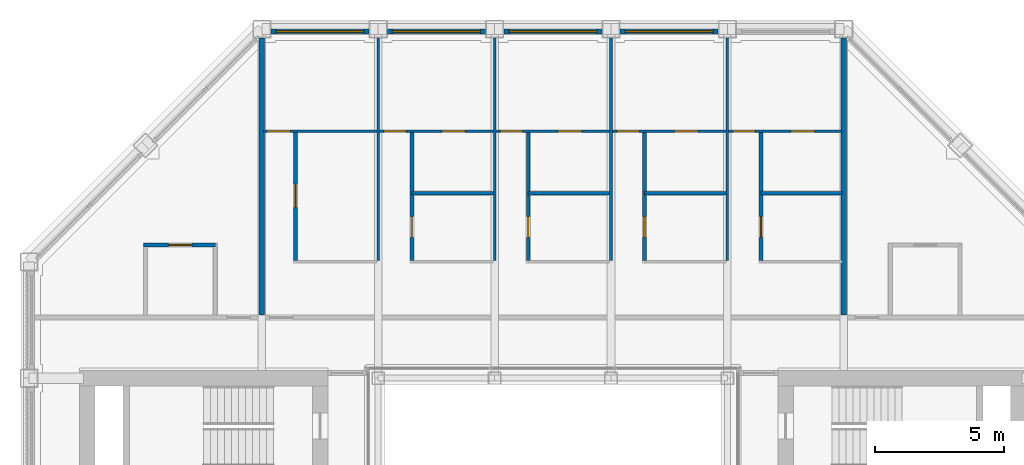
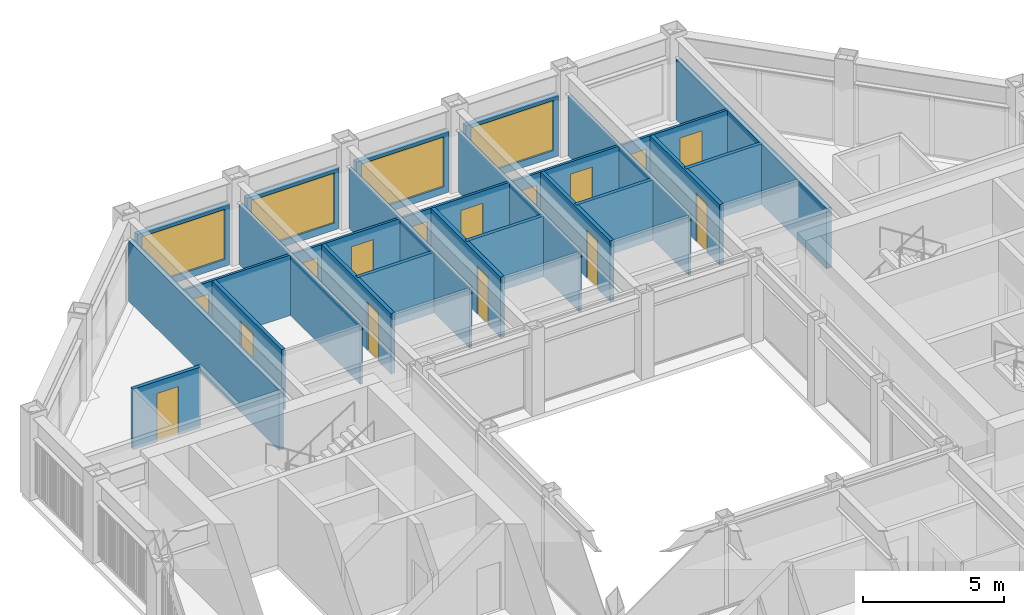
# One storey, part 12 of 18: 25 walls, 15 doors, 4 windows, 19 openings.
"""IFC4 building model written with IfcOpenShell, lengths in metres."""

from ifc_helpers import new_model, si_unit, direction, frame, frame_2d, origin, place, context, subcontext, project, spatial, rectangle, extrude, material, layer, layer_set, type_object, element, fill, save


model = new_model("IFC4")

# Units and contexts
model_context = context("Model", 3, precision=1e-05, world=origin(), true_north=direction((0.0, 1.0)))
body_context = subcontext(model_context, "Body", "Model", "MODEL_VIEW")
ifc_project = project(units=[si_unit("LENGTHUNIT", "METRE"), si_unit("AREAUNIT", "SQUARE_METRE"), si_unit("VOLUMEUNIT", "CUBIC_METRE"), si_unit("PLANEANGLEUNIT", "RADIAN"), si_unit("MASSUNIT", "GRAM", prefix="KILO")], contexts=[model_context])

# Site, building, storey
site_placement = place(None, origin())
site = spatial("IfcSite", under=ifc_project, at=site_placement, CompositionType="ELEMENT")
building_placement = place(site_placement, origin())
building = spatial("IfcBuilding", under=site, at=building_placement, Name="Msasa Ring Tower", CompositionType="ELEMENT")
storey_placement = place(building_placement, frame((0.0, 0.0, 249.550048828125)))
storey = spatial("IfcBuildingStorey", under=building, at=storey_placement, Name="L65", CompositionType="ELEMENT", Elevation=249.550048828125)

# Wall, opening, window
ifc_material_1 = material(Name="Terracotta rainscreen on blockwork", Category="masonry")
ifc_layer_1 = layer(ifc_material_1, 0.199951171875)
ifc_layer_set_1 = layer_set([ifc_layer_1], Name="FW1 TERRACOTTA-LINED INFILL BAY WALL 200")
wall_type_1 = type_object("IfcWallType", Name="FW1 TERRACOTTA-LINED INFILL BAY WALL 200", PredefinedType="SOLIDWALL", material=ifc_layer_set_1)
wall_1_placement = place(storey_placement, frame((-10.89501953125, 20.14990234375, 0.0), z_axis=(0.0, 0.0, 1.0), x_axis=(1.0, 0.0, 0.0)))
wall_1 = element("IfcWall", 1, at=wall_1_placement, inside=storey, type_object=wall_type_1, Name="Infill bay wall N L65 14", PredefinedType="SOLIDWALL", context=body_context, shape_type="SweptSolid", body=[
    extrude(rectangle(XDim=3.7900390625, YDim=0.199951171875, at=frame_2d((1.89501953125, 0.0))), origin(), (0.0, 0.0, 1.0), 2.62890625),
])
opening_1_placement = place(wall_1_placement, frame((0.195068359375, 0.0, 0.300048828125)))
opening_1 = element("IfcOpeningElement", 2, at=opening_1_placement, cuts=wall_1, Name="Opening WN3", PredefinedType="OPENING", context=body_context, shape_type="SweptSolid", body=[
    extrude(rectangle(XDim=3.39990234375, YDim=2.178955078125, at=frame_2d((1.699951171875, 1.08935546875))), frame((0.0, 0.10986328125, 0.0), z_axis=(0.0, -1.0, 0.0), x_axis=(1.0, 0.0, 0.0)), (0.0, 0.0, 1.0), 0.219970703125),
])
ifc_material_2 = material(Name="Aluminium frame with clear glass", Category="aluminium")
window_type = type_object("IfcWindowType", Name="WN3 SUITE WINDOW 3400x2179", PartitioningType="SINGLE_PANEL", PredefinedType="WINDOW", material=ifc_material_2)
window_1_placement = place(opening_1_placement, origin())
window_1 = element("IfcWindow", 3, at=window_1_placement, inside=storey, type_object=window_type, Name="Window N L65 14", OverallHeight=2.178955078125, OverallWidth=3.39990234375, PartitioningType="SINGLE_PANEL", PredefinedType="WINDOW", context=body_context, shape_type="SweptSolid", body=[
    extrude(rectangle(XDim=3.39990234375, YDim=2.178955078125, at=frame_2d((1.699951171875, 1.08935546875))), frame((0.0, 0.030029296875, 0.0), z_axis=(0.0, -1.0, 0.0), x_axis=(1.0, 0.0, 0.0)), (0.0, 0.0, 1.0), 0.06005859375),
])
fill(opening_1, window_1)

wall_2_placement = place(storey_placement, frame((-6.39501953125, 20.14990234375, 0.0), z_axis=(0.0, 0.0, 1.0), x_axis=(1.0, 0.0, 0.0)))
wall_2 = element("IfcWall", 4, at=wall_2_placement, inside=storey, type_object=wall_type_1, Name="Infill bay wall N L65 15", PredefinedType="SOLIDWALL", context=body_context, shape_type="SweptSolid", body=[
    extrude(rectangle(XDim=3.7900390625, YDim=0.199951171875, at=frame_2d((1.89501953125, 0.0))), origin(), (0.0, 0.0, 1.0), 2.62890625),
])
opening_2_placement = place(wall_2_placement, frame((0.195068359375, 0.0, 0.300048828125)))
opening_2 = element("IfcOpeningElement", 5, at=opening_2_placement, cuts=wall_2, Name="Opening WN3", PredefinedType="OPENING", context=body_context, shape_type="SweptSolid", body=[
    extrude(rectangle(XDim=3.39990234375, YDim=2.178955078125, at=frame_2d((1.699951171875, 1.08935546875))), frame((0.0, 0.10986328125, 0.0), z_axis=(0.0, -1.0, 0.0), x_axis=(1.0, 0.0, 0.0)), (0.0, 0.0, 1.0), 0.219970703125),
])
window_2_placement = place(opening_2_placement, origin())
window_2 = element("IfcWindow", 6, at=window_2_placement, inside=storey, type_object=window_type, Name="Window N L65 15", OverallHeight=2.178955078125, OverallWidth=3.39990234375, PartitioningType="SINGLE_PANEL", PredefinedType="WINDOW", context=body_context, shape_type="SweptSolid", body=[
    extrude(rectangle(XDim=3.39990234375, YDim=2.178955078125, at=frame_2d((1.699951171875, 1.08935546875))), frame((0.0, 0.030029296875, 0.0), z_axis=(0.0, -1.0, 0.0), x_axis=(1.0, 0.0, 0.0)), (0.0, 0.0, 1.0), 0.06005859375),
])
fill(opening_2, window_2)

wall_3_placement = place(storey_placement, frame((-1.89501953125, 20.14990234375, 0.0), z_axis=(0.0, 0.0, 1.0), x_axis=(1.0, 0.0, 0.0)))
wall_3 = element("IfcWall", 7, at=wall_3_placement, inside=storey, type_object=wall_type_1, Name="Infill bay wall N L65 16", PredefinedType="SOLIDWALL", context=body_context, shape_type="SweptSolid", body=[
    extrude(rectangle(XDim=3.7900390625, YDim=0.199951171875, at=frame_2d((1.89501953125, 0.0))), origin(), (0.0, 0.0, 1.0), 2.62890625),
])
opening_3_placement = place(wall_3_placement, frame((0.195068359375, 0.0, 0.300048828125)))
opening_3 = element("IfcOpeningElement", 8, at=opening_3_placement, cuts=wall_3, Name="Opening WN3", PredefinedType="OPENING", context=body_context, shape_type="SweptSolid", body=[
    extrude(rectangle(XDim=3.39990234375, YDim=2.178955078125, at=frame_2d((1.699951171875, 1.08935546875))), frame((0.0, 0.10986328125, 0.0), z_axis=(0.0, -1.0, 0.0), x_axis=(1.0, 0.0, 0.0)), (0.0, 0.0, 1.0), 0.219970703125),
])
window_3_placement = place(opening_3_placement, origin())
window_3 = element("IfcWindow", 9, at=window_3_placement, inside=storey, type_object=window_type, Name="Window N L65 16", OverallHeight=2.178955078125, OverallWidth=3.39990234375, PartitioningType="SINGLE_PANEL", PredefinedType="WINDOW", context=body_context, shape_type="SweptSolid", body=[
    extrude(rectangle(XDim=3.39990234375, YDim=2.178955078125, at=frame_2d((1.699951171875, 1.08935546875))), frame((0.0, 0.030029296875, 0.0), z_axis=(0.0, -1.0, 0.0), x_axis=(1.0, 0.0, 0.0)), (0.0, 0.0, 1.0), 0.06005859375),
])
fill(opening_3, window_3)

wall_4_placement = place(storey_placement, frame((2.60498046875, 20.14990234375, 0.0), z_axis=(0.0, 0.0, 1.0), x_axis=(1.0, 0.0, 0.0)))
wall_4 = element("IfcWall", 10, at=wall_4_placement, inside=storey, type_object=wall_type_1, Name="Infill bay wall N L65 17", PredefinedType="SOLIDWALL", context=body_context, shape_type="SweptSolid", body=[
    extrude(rectangle(XDim=3.7900390625, YDim=0.199951171875, at=frame_2d((1.89501953125, 0.0))), origin(), (0.0, 0.0, 1.0), 2.62890625),
])
opening_4_placement = place(wall_4_placement, frame((0.195068359375, 0.0, 0.300048828125)))
opening_4 = element("IfcOpeningElement", 11, at=opening_4_placement, cuts=wall_4, Name="Opening WN3", PredefinedType="OPENING", context=body_context, shape_type="SweptSolid", body=[
    extrude(rectangle(XDim=3.39990234375, YDim=2.178955078125, at=frame_2d((1.699951171875, 1.08935546875))), frame((0.0, 0.10986328125, 0.0), z_axis=(0.0, -1.0, 0.0), x_axis=(1.0, 0.0, 0.0)), (0.0, 0.0, 1.0), 0.219970703125),
])
window_4_placement = place(opening_4_placement, origin())
window_4 = element("IfcWindow", 12, at=window_4_placement, inside=storey, type_object=window_type, Name="Window N L65 17", OverallHeight=2.178955078125, OverallWidth=3.39990234375, PartitioningType="SINGLE_PANEL", PredefinedType="WINDOW", context=body_context, shape_type="SweptSolid", body=[
    extrude(rectangle(XDim=3.39990234375, YDim=2.178955078125, at=frame_2d((1.699951171875, 1.08935546875))), frame((0.0, 0.030029296875, 0.0), z_axis=(0.0, -1.0, 0.0), x_axis=(1.0, 0.0, 0.0)), (0.0, 0.0, 1.0), 0.06005859375),
])
fill(opening_4, window_4)

# Wall, opening, door
ifc_material_3 = material(Name="Gypsum board on steel studs", Category="steel")
ifc_layer_2 = layer(ifc_material_3, 0.10009765625)
ifc_layer_set_2 = layer_set([ifc_layer_2], Name="PT2 STUD PARTITION 100")
wall_type_2 = type_object("IfcWallType", Name="PT2 STUD PARTITION 100", PredefinedType="PARTITIONING", material=ifc_layer_set_2)
wall_5_placement = place(storey_placement, frame((-11.18994140625, 16.300048828125, 0.0), z_axis=(0.0, 0.0, 1.0), x_axis=(1.0, 0.0, 0.0)))
wall_5 = element("IfcWall", 13, at=wall_5_placement, inside=storey, type_object=wall_type_2, Name="Partition L65-JN00SY0", PredefinedType="PARTITIONING", context=body_context, shape_type="SweptSolid", body=[
    extrude(rectangle(XDim=4.389892578125, YDim=0.10009765625, at=frame_2d((2.19482421875, 0.0))), origin(), (0.0, 0.0, 1.0), 2.62890625),
])
opening_5_placement = place(wall_5_placement, frame((0.139892578125, 0.0, 0.0)))
opening_5 = element("IfcOpeningElement", 14, at=opening_5_placement, cuts=wall_5, Name="Opening SE-001", PredefinedType="OPENING", context=body_context, shape_type="SweptSolid", body=[
    extrude(rectangle(XDim=0.89990234375, YDim=2.10009765625, at=frame_2d((0.449951171875, 1.050048828125))), frame((0.0, 0.06005859375, 0.0), z_axis=(0.0, -1.0, 0.0), x_axis=(1.0, 0.0, 0.0)), (0.0, 0.0, 1.0), 0.1201171875),
])
ifc_material_4 = material(Name="Timber door leaf in a steel frame", Category="steel")
door_type_1 = type_object("IfcDoorType", Name="D22 INTERNAL HALL DOOR 900x2100", OperationType="SINGLE_SWING_LEFT", PredefinedType="DOOR", material=ifc_material_4)
door_1_placement = place(opening_5_placement, origin())
door_1 = element("IfcDoor", 15, at=door_1_placement, inside=storey, type_object=door_type_1, Name="Door L65-JN00L", OperationType="SINGLE_SWING_LEFT", OverallHeight=2.10009765625, OverallWidth=0.89990234375, PredefinedType="DOOR", context=body_context, shape_type="SweptSolid", body=[
    extrude(rectangle(XDim=0.89990234375, YDim=2.10009765625, at=frame_2d((0.449951171875, 1.050048828125))), frame((0.0, 0.02490234375, 0.0), z_axis=(0.0, -1.0, 0.0), x_axis=(1.0, 0.0, 0.0)), (0.0, 0.0, 1.0), 0.050048828125),
])
fill(opening_5, door_1)

# Wall
wall_6_placement = place(storey_placement, frame((-6.75, 11.300048828125, 0.0), z_axis=(0.0, 0.0, 1.0), x_axis=(0.0, 1.0, 0.0)))
element("IfcWall", 16, at=wall_6_placement, inside=storey, type_object=wall_type_2, Name="Partition L65-JN00P1", PredefinedType="PARTITIONING", context=body_context, shape_type="SweptSolid", body=[
    extrude(rectangle(XDim=8.599853515625, YDim=0.10009765625, at=frame_2d((4.2998046875, 0.0))), origin(), (0.0, 0.0, 1.0), 2.62890625),
])

# Wall, openings, doors
wall_7_placement = place(storey_placement, frame((-6.699951171875, 16.300048828125, 0.0), z_axis=(0.0, 0.0, 1.0), x_axis=(1.0, 0.0, 0.0)))
wall_7 = element("IfcWall", 17, at=wall_7_placement, inside=storey, type_object=wall_type_2, Name="Partition L65-JN00SY1", PredefinedType="PARTITIONING", context=body_context, shape_type="SweptSolid", body=[
    extrude(rectangle(XDim=4.39990234375, YDim=0.10009765625, at=frame_2d((2.199951171875, 0.0))), origin(), (0.0, 0.0, 1.0), 2.62890625),
])
opening_6_placement = place(wall_7_placement, frame((0.175048828125, 0.0, 0.0)))
opening_6 = element("IfcOpeningElement", 18, at=opening_6_placement, cuts=wall_7, Name="Opening SE-002", PredefinedType="OPENING", context=body_context, shape_type="SweptSolid", body=[
    extrude(rectangle(XDim=0.85009765625, YDim=2.10009765625, at=frame_2d((0.425048828125, 1.050048828125))), frame((0.0, 0.06005859375, 0.0), z_axis=(0.0, -1.0, 0.0), x_axis=(1.0, 0.0, 0.0)), (0.0, 0.0, 1.0), 0.1201171875),
])
opening_7_placement = place(wall_7_placement, frame((2.409912109375, 0.0, 0.0)))
opening_7 = element("IfcOpeningElement", 19, at=opening_7_placement, cuts=wall_7, Name="Opening SE-003", PredefinedType="OPENING", context=body_context, shape_type="SweptSolid", body=[
    extrude(rectangle(XDim=0.89990234375, YDim=2.10009765625, at=frame_2d((0.449951171875, 1.050048828125))), frame((0.0, 0.06005859375, 0.0), z_axis=(0.0, -1.0, 0.0), x_axis=(1.0, 0.0, 0.0)), (0.0, 0.0, 1.0), 0.1201171875),
])
ifc_material_5 = material(Name="Timber door leaf in a steel frame", Category="steel")
door_type_2 = type_object("IfcDoorType", Name="D14 BEDROOM DOOR 850x2100", OperationType="SINGLE_SWING_LEFT", PredefinedType="DOOR", material=ifc_material_5)
door_2_placement = place(opening_6_placement, origin())
door_2 = element("IfcDoor", 20, at=door_2_placement, inside=storey, type_object=door_type_2, Name="Door L65-JN00R1", OperationType="SINGLE_SWING_LEFT", OverallHeight=2.10009765625, OverallWidth=0.85009765625, PredefinedType="DOOR", context=body_context, shape_type="SweptSolid", body=[
    extrude(rectangle(XDim=0.85009765625, YDim=2.10009765625, at=frame_2d((0.425048828125, 1.050048828125))), frame((0.0, 0.02490234375, 0.0), z_axis=(0.0, -1.0, 0.0), x_axis=(1.0, 0.0, 0.0)), (0.0, 0.0, 1.0), 0.050048828125),
])
fill(opening_6, door_2)
ifc_material_6 = material(Name="Timber door leaf in a steel frame", Category="steel")
door_type_3 = type_object("IfcDoorType", Name="D3 BATHROOM DOOR 900x2100", OperationType="SINGLE_SWING_LEFT", PredefinedType="DOOR", material=ifc_material_6)
door_3_placement = place(opening_7_placement, origin())
door_3 = element("IfcDoor", 21, at=door_3_placement, inside=storey, type_object=door_type_3, Name="Door L65-JN00B1", OperationType="SINGLE_SWING_RIGHT", OverallHeight=2.10009765625, OverallWidth=0.89990234375, PredefinedType="DOOR", context=body_context, shape_type="SweptSolid", body=[
    extrude(rectangle(XDim=0.89990234375, YDim=2.10009765625, at=frame_2d((0.449951171875, 1.050048828125))), frame((0.0, 0.02490234375, 0.0), z_axis=(0.0, -1.0, 0.0), x_axis=(1.0, 0.0, 0.0)), (0.0, 0.0, 1.0), 0.050048828125),
])
fill(opening_7, door_3)

# Wall
wall_8_placement = place(storey_placement, frame((-2.25, 11.300048828125, 0.0), z_axis=(0.0, 0.0, 1.0), x_axis=(0.0, 1.0, 0.0)))
element("IfcWall", 22, at=wall_8_placement, inside=storey, type_object=wall_type_2, Name="Partition L65-JN00P2", PredefinedType="PARTITIONING", context=body_context, shape_type="SweptSolid", body=[
    extrude(rectangle(XDim=8.599853515625, YDim=0.10009765625, at=frame_2d((4.2998046875, 0.0))), origin(), (0.0, 0.0, 1.0), 2.62890625),
])

# Wall, openings, doors
wall_9_placement = place(storey_placement, frame((-2.199951171875, 16.300048828125, 0.0), z_axis=(0.0, 0.0, 1.0), x_axis=(1.0, 0.0, 0.0)))
wall_9 = element("IfcWall", 23, at=wall_9_placement, inside=storey, type_object=wall_type_2, Name="Partition L65-JN00SY2", PredefinedType="PARTITIONING", context=body_context, shape_type="SweptSolid", body=[
    extrude(rectangle(XDim=4.39990234375, YDim=0.10009765625, at=frame_2d((2.199951171875, 0.0))), origin(), (0.0, 0.0, 1.0), 2.62890625),
])
opening_8_placement = place(wall_9_placement, frame((0.175048828125, 0.0, 0.0)))
opening_8 = element("IfcOpeningElement", 24, at=opening_8_placement, cuts=wall_9, Name="Opening SE-004", PredefinedType="OPENING", context=body_context, shape_type="SweptSolid", body=[
    extrude(rectangle(XDim=0.85009765625, YDim=2.10009765625, at=frame_2d((0.425048828125, 1.050048828125))), frame((0.0, 0.06005859375, 0.0), z_axis=(0.0, -1.0, 0.0), x_axis=(1.0, 0.0, 0.0)), (0.0, 0.0, 1.0), 0.1201171875),
])
opening_9_placement = place(wall_9_placement, frame((2.409912109375, 0.0, 0.0)))
opening_9 = element("IfcOpeningElement", 25, at=opening_9_placement, cuts=wall_9, Name="Opening SE-005", PredefinedType="OPENING", context=body_context, shape_type="SweptSolid", body=[
    extrude(rectangle(XDim=0.89990234375, YDim=2.10009765625, at=frame_2d((0.449951171875, 1.050048828125))), frame((0.0, 0.06005859375, 0.0), z_axis=(0.0, -1.0, 0.0), x_axis=(1.0, 0.0, 0.0)), (0.0, 0.0, 1.0), 0.1201171875),
])
door_4_placement = place(opening_8_placement, origin())
door_4 = element("IfcDoor", 26, at=door_4_placement, inside=storey, type_object=door_type_2, Name="Door L65-JN00R2", OperationType="SINGLE_SWING_LEFT", OverallHeight=2.10009765625, OverallWidth=0.85009765625, PredefinedType="DOOR", context=body_context, shape_type="SweptSolid", body=[
    extrude(rectangle(XDim=0.85009765625, YDim=2.10009765625, at=frame_2d((0.425048828125, 1.050048828125))), frame((0.0, 0.02490234375, 0.0), z_axis=(0.0, -1.0, 0.0), x_axis=(1.0, 0.0, 0.0)), (0.0, 0.0, 1.0), 0.050048828125),
])
fill(opening_8, door_4)
door_5_placement = place(opening_9_placement, origin())
door_5 = element("IfcDoor", 27, at=door_5_placement, inside=storey, type_object=door_type_3, Name="Door L65-JN00B2", OperationType="SINGLE_SWING_RIGHT", OverallHeight=2.10009765625, OverallWidth=0.89990234375, PredefinedType="DOOR", context=body_context, shape_type="SweptSolid", body=[
    extrude(rectangle(XDim=0.89990234375, YDim=2.10009765625, at=frame_2d((0.449951171875, 1.050048828125))), frame((0.0, 0.02490234375, 0.0), z_axis=(0.0, -1.0, 0.0), x_axis=(1.0, 0.0, 0.0)), (0.0, 0.0, 1.0), 0.050048828125),
])
fill(opening_9, door_5)

# Wall
wall_10_placement = place(storey_placement, frame((2.25, 11.300048828125, 0.0), z_axis=(0.0, 0.0, 1.0), x_axis=(0.0, 1.0, 0.0)))
element("IfcWall", 28, at=wall_10_placement, inside=storey, type_object=wall_type_2, Name="Partition L65-JN00P3", PredefinedType="PARTITIONING", context=body_context, shape_type="SweptSolid", body=[
    extrude(rectangle(XDim=8.599853515625, YDim=0.10009765625, at=frame_2d((4.2998046875, 0.0))), origin(), (0.0, 0.0, 1.0), 2.62890625),
])

# Wall, openings, doors
wall_11_placement = place(storey_placement, frame((2.300048828125, 16.300048828125, 0.0), z_axis=(0.0, 0.0, 1.0), x_axis=(1.0, 0.0, 0.0)))
wall_11 = element("IfcWall", 29, at=wall_11_placement, inside=storey, type_object=wall_type_2, Name="Partition L65-JN00SY3", PredefinedType="PARTITIONING", context=body_context, shape_type="SweptSolid", body=[
    extrude(rectangle(XDim=4.39990234375, YDim=0.10009765625, at=frame_2d((2.199951171875, 0.0))), origin(), (0.0, 0.0, 1.0), 2.62890625),
])
opening_10_placement = place(wall_11_placement, frame((0.175048828125, 0.0, 0.0)))
opening_10 = element("IfcOpeningElement", 30, at=opening_10_placement, cuts=wall_11, Name="Opening SE-006", PredefinedType="OPENING", context=body_context, shape_type="SweptSolid", body=[
    extrude(rectangle(XDim=0.85009765625, YDim=2.10009765625, at=frame_2d((0.425048828125, 1.050048828125))), frame((0.0, 0.06005859375, 0.0), z_axis=(0.0, -1.0, 0.0), x_axis=(1.0, 0.0, 0.0)), (0.0, 0.0, 1.0), 0.1201171875),
])
opening_11_placement = place(wall_11_placement, frame((2.409912109375, 0.0, 0.0)))
opening_11 = element("IfcOpeningElement", 31, at=opening_11_placement, cuts=wall_11, Name="Opening SE-007", PredefinedType="OPENING", context=body_context, shape_type="SweptSolid", body=[
    extrude(rectangle(XDim=0.89990234375, YDim=2.10009765625, at=frame_2d((0.449951171875, 1.050048828125))), frame((0.0, 0.06005859375, 0.0), z_axis=(0.0, -1.0, 0.0), x_axis=(1.0, 0.0, 0.0)), (0.0, 0.0, 1.0), 0.1201171875),
])
door_6_placement = place(opening_10_placement, origin())
door_6 = element("IfcDoor", 32, at=door_6_placement, inside=storey, type_object=door_type_2, Name="Door L65-JN00R3", OperationType="SINGLE_SWING_LEFT", OverallHeight=2.10009765625, OverallWidth=0.85009765625, PredefinedType="DOOR", context=body_context, shape_type="SweptSolid", body=[
    extrude(rectangle(XDim=0.85009765625, YDim=2.10009765625, at=frame_2d((0.425048828125, 1.050048828125))), frame((0.0, 0.02490234375, 0.0), z_axis=(0.0, -1.0, 0.0), x_axis=(1.0, 0.0, 0.0)), (0.0, 0.0, 1.0), 0.050048828125),
])
fill(opening_10, door_6)
door_7_placement = place(opening_11_placement, origin())
door_7 = element("IfcDoor", 33, at=door_7_placement, inside=storey, type_object=door_type_3, Name="Door L65-JN00B3", OperationType="SINGLE_SWING_RIGHT", OverallHeight=2.10009765625, OverallWidth=0.89990234375, PredefinedType="DOOR", context=body_context, shape_type="SweptSolid", body=[
    extrude(rectangle(XDim=0.89990234375, YDim=2.10009765625, at=frame_2d((0.449951171875, 1.050048828125))), frame((0.0, 0.02490234375, 0.0), z_axis=(0.0, -1.0, 0.0), x_axis=(1.0, 0.0, 0.0)), (0.0, 0.0, 1.0), 0.050048828125),
])
fill(opening_11, door_7)

# Wall
wall_12_placement = place(storey_placement, frame((6.75, 11.300048828125, 0.0), z_axis=(0.0, 0.0, 1.0), x_axis=(0.0, 1.0, 0.0)))
element("IfcWall", 34, at=wall_12_placement, inside=storey, type_object=wall_type_2, Name="Partition L65-JN00P4", PredefinedType="PARTITIONING", context=body_context, shape_type="SweptSolid", body=[
    extrude(rectangle(XDim=8.599853515625, YDim=0.10009765625, at=frame_2d((4.2998046875, 0.0))), origin(), (0.0, 0.0, 1.0), 2.62890625),
])

# Wall, openings, doors
wall_13_placement = place(storey_placement, frame((6.800048828125, 16.300048828125, 0.0), z_axis=(0.0, 0.0, 1.0), x_axis=(1.0, 0.0, 0.0)))
wall_13 = element("IfcWall", 35, at=wall_13_placement, inside=storey, type_object=wall_type_2, Name="Partition L65-JN00SY4", PredefinedType="PARTITIONING", context=body_context, shape_type="SweptSolid", body=[
    extrude(rectangle(XDim=4.389892578125, YDim=0.10009765625, at=frame_2d((2.19482421875, 0.0))), origin(), (0.0, 0.0, 1.0), 2.62890625),
])
opening_12_placement = place(wall_13_placement, frame((0.175048828125, 0.0, 0.0)))
opening_12 = element("IfcOpeningElement", 36, at=opening_12_placement, cuts=wall_13, Name="Opening SE-008", PredefinedType="OPENING", context=body_context, shape_type="SweptSolid", body=[
    extrude(rectangle(XDim=0.85009765625, YDim=2.10009765625, at=frame_2d((0.425048828125, 1.050048828125))), frame((0.0, 0.06005859375, 0.0), z_axis=(0.0, -1.0, 0.0), x_axis=(1.0, 0.0, 0.0)), (0.0, 0.0, 1.0), 0.1201171875),
])
opening_13_placement = place(wall_13_placement, frame((2.409912109375, 0.0, 0.0)))
opening_13 = element("IfcOpeningElement", 37, at=opening_13_placement, cuts=wall_13, Name="Opening SE-009", PredefinedType="OPENING", context=body_context, shape_type="SweptSolid", body=[
    extrude(rectangle(XDim=0.89990234375, YDim=2.10009765625, at=frame_2d((0.449951171875, 1.050048828125))), frame((0.0, 0.06005859375, 0.0), z_axis=(0.0, -1.0, 0.0), x_axis=(1.0, 0.0, 0.0)), (0.0, 0.0, 1.0), 0.1201171875),
])
door_8_placement = place(opening_12_placement, origin())
door_8 = element("IfcDoor", 38, at=door_8_placement, inside=storey, type_object=door_type_2, Name="Door L65-JN00R4", OperationType="SINGLE_SWING_LEFT", OverallHeight=2.10009765625, OverallWidth=0.85009765625, PredefinedType="DOOR", context=body_context, shape_type="SweptSolid", body=[
    extrude(rectangle(XDim=0.85009765625, YDim=2.10009765625, at=frame_2d((0.425048828125, 1.050048828125))), frame((0.0, 0.02490234375, 0.0), z_axis=(0.0, -1.0, 0.0), x_axis=(1.0, 0.0, 0.0)), (0.0, 0.0, 1.0), 0.050048828125),
])
fill(opening_12, door_8)
door_9_placement = place(opening_13_placement, origin())
door_9 = element("IfcDoor", 39, at=door_9_placement, inside=storey, type_object=door_type_3, Name="Door L65-JN00B4", OperationType="SINGLE_SWING_RIGHT", OverallHeight=2.10009765625, OverallWidth=0.89990234375, PredefinedType="DOOR", context=body_context, shape_type="SweptSolid", body=[
    extrude(rectangle(XDim=0.89990234375, YDim=2.10009765625, at=frame_2d((0.449951171875, 1.050048828125))), frame((0.0, 0.02490234375, 0.0), z_axis=(0.0, -1.0, 0.0), x_axis=(1.0, 0.0, 0.0)), (0.0, 0.0, 1.0), 0.050048828125),
])
fill(opening_13, door_9)

# Walls
ifc_material_7 = material(Name="Dense concrete blockwork, plastered both faces", Category="masonry")
ifc_layer_3 = layer(ifc_material_7, 0.25)
ifc_layer_set_3 = layer_set([ifc_layer_3], Name="PT3 APARTMENT SEPARATING WALL 250")
wall_type_3 = type_object("IfcWallType", Name="PT3 APARTMENT SEPARATING WALL 250", PredefinedType="PARTITIONING", material=ifc_layer_set_3)
for number, where, z_axis, x_axis, name in (
    (40, (-11.25, 9.199951171875, 0.0), (0.0, 0.0, 1.0), (0.0, 1.0, 0.0), "Party wall L65-PWN-11.25"),
    (41, (11.25, 9.199951171875, 0.0), (0.0, 0.0, 1.0), (0.0, 1.0, 0.0), "Party wall L65-PWN+11.25"),
):
    element("IfcWall", number, at=place(storey_placement, frame(where, z_axis=z_axis, x_axis=x_axis)), inside=storey, type_object=wall_type_3, Name=name, PredefinedType="PARTITIONING", context=body_context, shape_type="SweptSolid", body=[
        extrude(rectangle(XDim=10.699951171875, YDim=0.199951171875, at=frame_2d((5.35009765625, 0.0))), origin(), (0.0, 0.0, 1.0), 2.62890625),
    ])

# Wall, opening, door
ifc_material_8 = material(Name="Moisture-resistant board on steel studs with a concealed cistern and pipe void, tiled", Category="steel")
ifc_layer_4 = layer(ifc_material_8, 0.14990234375)
ifc_layer_set_4 = layer_set([ifc_layer_4], Name="PT4 BATHROOM WET WALL 150")
wall_type_4 = type_object("IfcWallType", Name="PT4 BATHROOM WET WALL 150", PredefinedType="PARTITIONING", material=ifc_layer_set_4)
wall_14_placement = place(storey_placement, frame((-9.949951171875, 11.300048828125, 0.0), z_axis=(0.0, 0.0, 1.0), x_axis=(0.0, 1.0, 0.0)))
wall_14 = element("IfcWall", 42, at=wall_14_placement, inside=storey, type_object=wall_type_4, Name="Partition L65-JN00SX0", PredefinedType="PARTITIONING", context=body_context, shape_type="SweptSolid", body=[
    extrude(rectangle(XDim=5.0, YDim=0.14990234375, at=frame_2d((2.5, 0.0))), origin(), (0.0, 0.0, 1.0), 2.62890625),
])
opening_14_placement = place(wall_14_placement, frame((2.050048828125, 0.0, 0.0)))
opening_14 = element("IfcOpeningElement", 43, at=opening_14_placement, cuts=wall_14, Name="Opening SE-010", PredefinedType="OPENING", context=body_context, shape_type="SweptSolid", body=[
    extrude(rectangle(XDim=0.89990234375, YDim=2.10009765625, at=frame_2d((0.449951171875, 1.050048828125))), frame((0.0, 0.0849609375, 0.0), z_axis=(0.0, -1.0, 0.0), x_axis=(1.0, 0.0, 0.0)), (0.0, 0.0, 1.0), 0.169921875),
])
door_10_placement = place(opening_14_placement, origin())
door_10 = element("IfcDoor", 44, at=door_10_placement, inside=storey, type_object=door_type_1, Name="Door L65-JN00K", OperationType="SINGLE_SWING_LEFT", OverallHeight=2.10009765625, OverallWidth=0.89990234375, PredefinedType="DOOR", context=body_context, shape_type="SweptSolid", body=[
    extrude(rectangle(XDim=0.89990234375, YDim=2.10009765625, at=frame_2d((0.449951171875, 1.050048828125))), frame((0.0, 0.02490234375, 0.0), z_axis=(0.0, -1.0, 0.0), x_axis=(1.0, 0.0, 0.0)), (0.0, 0.0, 1.0), 0.050048828125),
])
fill(opening_14, door_10)

wall_15_placement = place(storey_placement, frame((-5.449951171875, 11.300048828125, 0.0), z_axis=(0.0, 0.0, 1.0), x_axis=(0.0, 1.0, 0.0)))
wall_15 = element("IfcWall", 45, at=wall_15_placement, inside=storey, type_object=wall_type_4, Name="Partition L65-JN00SX1", PredefinedType="PARTITIONING", context=body_context, shape_type="SweptSolid", body=[
    extrude(rectangle(XDim=5.0, YDim=0.14990234375, at=frame_2d((2.5, 0.0))), origin(), (0.0, 0.0, 1.0), 2.62890625),
])
opening_15_placement = place(wall_15_placement, frame((0.89990234375, 0.0, 0.0)))
opening_15 = element("IfcOpeningElement", 46, at=opening_15_placement, cuts=wall_15, Name="Opening SE-011", PredefinedType="OPENING", context=body_context, shape_type="SweptSolid", body=[
    extrude(rectangle(XDim=0.800048828125, YDim=2.10009765625, at=frame_2d((0.39990234375, 1.050048828125))), frame((0.0, 0.0849609375, 0.0), z_axis=(0.0, -1.0, 0.0), x_axis=(1.0, 0.0, 0.0)), (0.0, 0.0, 1.0), 0.169921875),
])
ifc_material_9 = material(Name="Timber door leaf in a steel frame", Category="steel")
door_type_4 = type_object("IfcDoorType", Name="D60 DRESSING ROOM DOOR 800x2100", OperationType="SINGLE_SWING_LEFT", PredefinedType="DOOR", material=ifc_material_9)
door_11_placement = place(opening_15_placement, origin())
door_11 = element("IfcDoor", 47, at=door_11_placement, inside=storey, type_object=door_type_4, Name="Door L65-JN00W1", OperationType="SINGLE_SWING_LEFT", OverallHeight=2.10009765625, OverallWidth=0.800048828125, PredefinedType="DOOR", context=body_context, shape_type="SweptSolid", body=[
    extrude(rectangle(XDim=0.800048828125, YDim=2.10009765625, at=frame_2d((0.39990234375, 1.050048828125))), frame((0.0, 0.02490234375, 0.0), z_axis=(0.0, -1.0, 0.0), x_axis=(1.0, 0.0, 0.0)), (0.0, 0.0, 1.0), 0.050048828125),
])
fill(opening_15, door_11)

# Wall
wall_16_placement = place(storey_placement, frame((-5.449951171875, 13.89990234375, 0.0), z_axis=(0.0, 0.0, 1.0), x_axis=(1.0, 0.0, 0.0)))
element("IfcWall", 48, at=wall_16_placement, inside=storey, type_object=wall_type_4, Name="Partition L65-JN00SB1", PredefinedType="PARTITIONING", context=body_context, shape_type="SweptSolid", body=[
    extrude(rectangle(XDim=3.14990234375, YDim=0.14990234375, at=frame_2d((1.574951171875, 0.0))), origin(), (0.0, 0.0, 1.0), 2.62890625),
])

# Wall, opening, door
wall_17_placement = place(storey_placement, frame((-0.949951171875, 11.300048828125, 0.0), z_axis=(0.0, 0.0, 1.0), x_axis=(0.0, 1.0, 0.0)))
wall_17 = element("IfcWall", 49, at=wall_17_placement, inside=storey, type_object=wall_type_4, Name="Partition L65-JN00SX2", PredefinedType="PARTITIONING", context=body_context, shape_type="SweptSolid", body=[
    extrude(rectangle(XDim=5.0, YDim=0.14990234375, at=frame_2d((2.5, 0.0))), origin(), (0.0, 0.0, 1.0), 2.62890625),
])
opening_16_placement = place(wall_17_placement, frame((0.89990234375, 0.0, 0.0)))
opening_16 = element("IfcOpeningElement", 50, at=opening_16_placement, cuts=wall_17, Name="Opening SE-012", PredefinedType="OPENING", context=body_context, shape_type="SweptSolid", body=[
    extrude(rectangle(XDim=0.800048828125, YDim=2.10009765625, at=frame_2d((0.39990234375, 1.050048828125))), frame((0.0, 0.0849609375, 0.0), z_axis=(0.0, -1.0, 0.0), x_axis=(1.0, 0.0, 0.0)), (0.0, 0.0, 1.0), 0.169921875),
])
door_12_placement = place(opening_16_placement, origin())
door_12 = element("IfcDoor", 51, at=door_12_placement, inside=storey, type_object=door_type_4, Name="Door L65-JN00W2", OperationType="SINGLE_SWING_LEFT", OverallHeight=2.10009765625, OverallWidth=0.800048828125, PredefinedType="DOOR", context=body_context, shape_type="SweptSolid", body=[
    extrude(rectangle(XDim=0.800048828125, YDim=2.10009765625, at=frame_2d((0.39990234375, 1.050048828125))), frame((0.0, 0.02490234375, 0.0), z_axis=(0.0, -1.0, 0.0), x_axis=(1.0, 0.0, 0.0)), (0.0, 0.0, 1.0), 0.050048828125),
])
fill(opening_16, door_12)

# Wall
wall_18_placement = place(storey_placement, frame((-0.949951171875, 13.89990234375, 0.0), z_axis=(0.0, 0.0, 1.0), x_axis=(1.0, 0.0, 0.0)))
element("IfcWall", 52, at=wall_18_placement, inside=storey, type_object=wall_type_4, Name="Partition L65-JN00SB2", PredefinedType="PARTITIONING", context=body_context, shape_type="SweptSolid", body=[
    extrude(rectangle(XDim=3.14990234375, YDim=0.14990234375, at=frame_2d((1.574951171875, 0.0))), origin(), (0.0, 0.0, 1.0), 2.62890625),
])

# Wall, opening, door
wall_19_placement = place(storey_placement, frame((3.550048828125, 11.300048828125, 0.0), z_axis=(0.0, 0.0, 1.0), x_axis=(0.0, 1.0, 0.0)))
wall_19 = element("IfcWall", 53, at=wall_19_placement, inside=storey, type_object=wall_type_4, Name="Partition L65-JN00SX3", PredefinedType="PARTITIONING", context=body_context, shape_type="SweptSolid", body=[
    extrude(rectangle(XDim=5.0, YDim=0.14990234375, at=frame_2d((2.5, 0.0))), origin(), (0.0, 0.0, 1.0), 2.62890625),
])
opening_17_placement = place(wall_19_placement, frame((0.89990234375, 0.0, 0.0)))
opening_17 = element("IfcOpeningElement", 54, at=opening_17_placement, cuts=wall_19, Name="Opening SE-013", PredefinedType="OPENING", context=body_context, shape_type="SweptSolid", body=[
    extrude(rectangle(XDim=0.800048828125, YDim=2.10009765625, at=frame_2d((0.39990234375, 1.050048828125))), frame((0.0, 0.0849609375, 0.0), z_axis=(0.0, -1.0, 0.0), x_axis=(1.0, 0.0, 0.0)), (0.0, 0.0, 1.0), 0.169921875),
])
door_13_placement = place(opening_17_placement, origin())
door_13 = element("IfcDoor", 55, at=door_13_placement, inside=storey, type_object=door_type_4, Name="Door L65-JN00W3", OperationType="SINGLE_SWING_LEFT", OverallHeight=2.10009765625, OverallWidth=0.800048828125, PredefinedType="DOOR", context=body_context, shape_type="SweptSolid", body=[
    extrude(rectangle(XDim=0.800048828125, YDim=2.10009765625, at=frame_2d((0.39990234375, 1.050048828125))), frame((0.0, 0.02490234375, 0.0), z_axis=(0.0, -1.0, 0.0), x_axis=(1.0, 0.0, 0.0)), (0.0, 0.0, 1.0), 0.050048828125),
])
fill(opening_17, door_13)

# Wall
wall_20_placement = place(storey_placement, frame((3.550048828125, 13.89990234375, 0.0), z_axis=(0.0, 0.0, 1.0), x_axis=(1.0, 0.0, 0.0)))
element("IfcWall", 56, at=wall_20_placement, inside=storey, type_object=wall_type_4, Name="Partition L65-JN00SB3", PredefinedType="PARTITIONING", context=body_context, shape_type="SweptSolid", body=[
    extrude(rectangle(XDim=3.14990234375, YDim=0.14990234375, at=frame_2d((1.574951171875, 0.0))), origin(), (0.0, 0.0, 1.0), 2.62890625),
])

# Wall, opening, door
wall_21_placement = place(storey_placement, frame((8.050048828125, 11.300048828125, 0.0), z_axis=(0.0, 0.0, 1.0), x_axis=(0.0, 1.0, 0.0)))
wall_21 = element("IfcWall", 57, at=wall_21_placement, inside=storey, type_object=wall_type_4, Name="Partition L65-JN00SX4", PredefinedType="PARTITIONING", context=body_context, shape_type="SweptSolid", body=[
    extrude(rectangle(XDim=5.0, YDim=0.14990234375, at=frame_2d((2.5, 0.0))), origin(), (0.0, 0.0, 1.0), 2.62890625),
])
opening_18_placement = place(wall_21_placement, frame((0.89990234375, 0.0, 0.0)))
opening_18 = element("IfcOpeningElement", 58, at=opening_18_placement, cuts=wall_21, Name="Opening SE-014", PredefinedType="OPENING", context=body_context, shape_type="SweptSolid", body=[
    extrude(rectangle(XDim=0.800048828125, YDim=2.10009765625, at=frame_2d((0.39990234375, 1.050048828125))), frame((0.0, 0.0849609375, 0.0), z_axis=(0.0, -1.0, 0.0), x_axis=(1.0, 0.0, 0.0)), (0.0, 0.0, 1.0), 0.169921875),
])
door_14_placement = place(opening_18_placement, origin())
door_14 = element("IfcDoor", 59, at=door_14_placement, inside=storey, type_object=door_type_4, Name="Door L65-JN00W4", OperationType="SINGLE_SWING_LEFT", OverallHeight=2.10009765625, OverallWidth=0.800048828125, PredefinedType="DOOR", context=body_context, shape_type="SweptSolid", body=[
    extrude(rectangle(XDim=0.800048828125, YDim=2.10009765625, at=frame_2d((0.39990234375, 1.050048828125))), frame((0.0, 0.02490234375, 0.0), z_axis=(0.0, -1.0, 0.0), x_axis=(1.0, 0.0, 0.0)), (0.0, 0.0, 1.0), 0.050048828125),
])
fill(opening_18, door_14)

# Wall
wall_22_placement = place(storey_placement, frame((8.050048828125, 13.89990234375, 0.0), z_axis=(0.0, 0.0, 1.0), x_axis=(1.0, 0.0, 0.0)))
element("IfcWall", 60, at=wall_22_placement, inside=storey, type_object=wall_type_4, Name="Partition L65-JN00SB4", PredefinedType="PARTITIONING", context=body_context, shape_type="SweptSolid", body=[
    extrude(rectangle(XDim=3.139892578125, YDim=0.14990234375, at=frame_2d((1.56982421875, 0.0))), origin(), (0.0, 0.0, 1.0), 2.62890625),
])

# Wall, opening, door
wall_23_placement = place(storey_placement, frame((-15.824951171875, 11.89990234375, 0.0), z_axis=(0.0, 0.0, 1.0), x_axis=(1.0, 0.0, 0.0)))
wall_23 = element("IfcWall", 61, at=wall_23_placement, inside=storey, type_object=wall_type_4, Name="Partition L65-CSNWBY", PredefinedType="PARTITIONING", context=body_context, shape_type="SweptSolid", body=[
    extrude(rectangle(XDim=2.77490234375, YDim=0.14990234375, at=frame_2d((1.387451171875, 0.0))), origin(), (0.0, 0.0, 1.0), 2.62890625),
])
opening_19_placement = place(wall_23_placement, frame((0.97509765625, 0.0, 0.0)))
opening_19 = element("IfcOpeningElement", 62, at=opening_19_placement, cuts=wall_23, Name="Opening SE-015", PredefinedType="OPENING", context=body_context, shape_type="SweptSolid", body=[
    extrude(rectangle(XDim=0.89990234375, YDim=2.10009765625, at=frame_2d((0.449951171875, 1.050048828125))), frame((0.0, 0.0849609375, 0.0), z_axis=(0.0, -1.0, 0.0), x_axis=(1.0, 0.0, 0.0)), (0.0, 0.0, 1.0), 0.169921875),
])
door_15_placement = place(opening_19_placement, origin())
door_15 = element("IfcDoor", 63, at=door_15_placement, inside=storey, type_object=door_type_3, Name="Door L65-CSNWB1", OperationType="SINGLE_SWING_RIGHT", OverallHeight=2.10009765625, OverallWidth=0.89990234375, PredefinedType="DOOR", context=body_context, shape_type="SweptSolid", body=[
    extrude(rectangle(XDim=0.89990234375, YDim=2.10009765625, at=frame_2d((0.449951171875, 1.050048828125))), frame((0.0, 0.02490234375, 0.0), z_axis=(0.0, -1.0, 0.0), x_axis=(1.0, 0.0, 0.0)), (0.0, 0.0, 1.0), 0.050048828125),
])
fill(opening_19, door_15)

save(model, "model.ifc")
